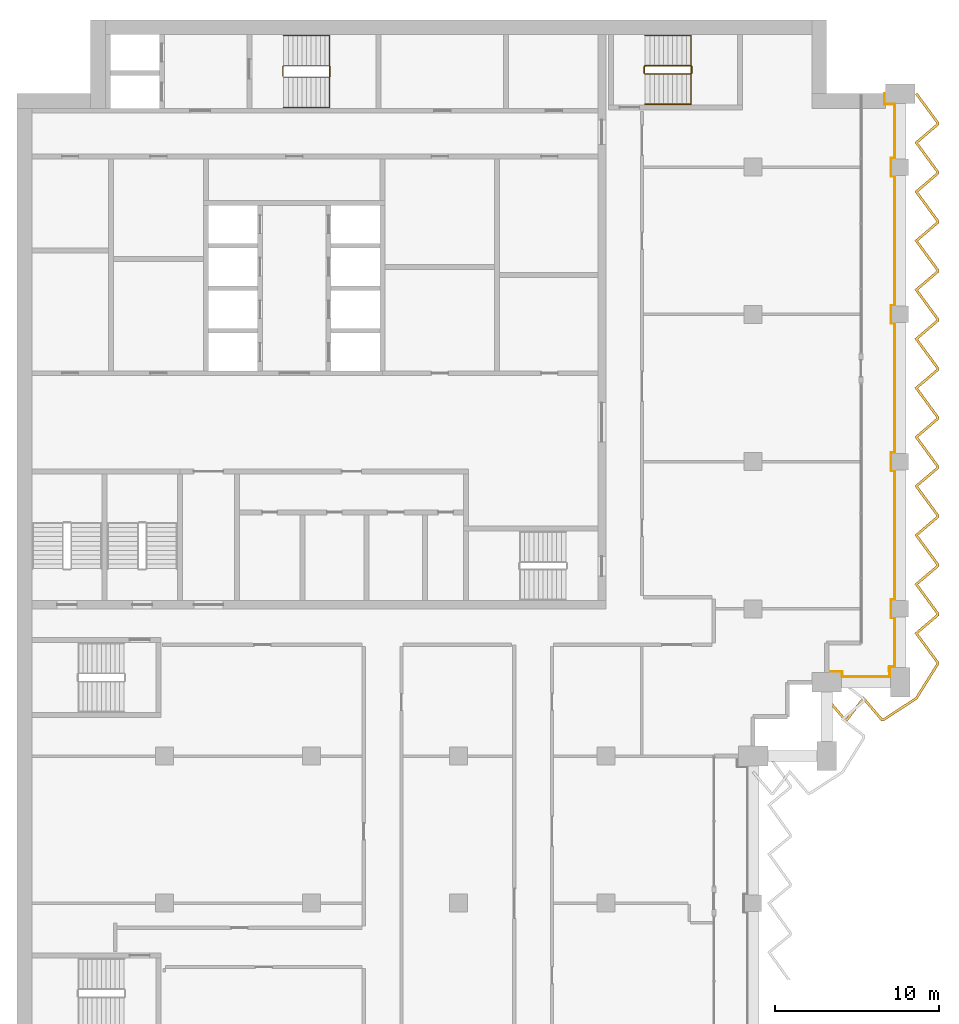
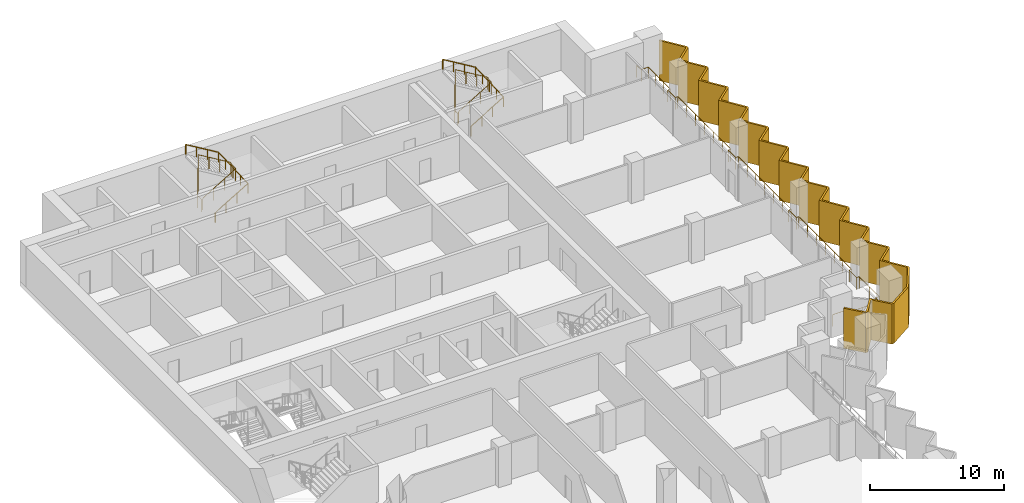
# One storey, part 17 of 17: 5 railings, 1 shading device.
"""IFC4 building model written with IfcOpenShell, lengths in metres."""

from ifc_helpers import new_model, si_unit, direction, frame, origin, origin_2d, place, context, subcontext, project, spatial, polyline, circle, outline, extrude, material, layer, layer_set, type_object, element, save


model = new_model("IFC4")

# Units and contexts
model_context = context("Model", 3, precision=1e-05, world=origin(), true_north=direction((0.0, 1.0)))
body_context = subcontext(model_context, "Body", "Model", "MODEL_VIEW")
ifc_project = project(units=[si_unit("LENGTHUNIT", "METRE"), si_unit("AREAUNIT", "SQUARE_METRE"), si_unit("VOLUMEUNIT", "CUBIC_METRE"), si_unit("PLANEANGLEUNIT", "RADIAN"), si_unit("MASSUNIT", "GRAM", prefix="KILO")], contexts=[model_context])

# Site, building, storey
site_placement = place(None, origin())
site = spatial("IfcSite", under=ifc_project, at=site_placement, CompositionType="ELEMENT")
building_placement = place(site_placement, origin())
building = spatial("IfcBuilding", under=site, at=building_placement, Name="Hunhe Ridgeline Campus", CompositionType="ELEMENT")
storey_placement = place(building_placement, frame((0.0, 0.0, 205.0)))
storey = spatial("IfcBuildingStorey", under=building, at=storey_placement, Name="L52", CompositionType="ELEMENT", Elevation=205.0)

# Railing
ifc_material_1 = material(Name="Steel Q355", Category="steel")
railing_type_1 = type_object("IfcRailingType", Name="Loggia guard 1100 Steel Q355", PredefinedType="GUARDRAIL", material=ifc_material_1)
railing_1_placement = place(storey_placement, frame((49.5, 59.169921875, 0.0)))
element("IfcRailing", 1, at=railing_1_placement, inside=storey, type_object=railing_type_1, Name="Loggia guard 2", PredefinedType="GUARDRAIL", context=body_context, shape_type="SweptSolid", body=[
    extrude(circle(Radius=0.02392578125, at=origin_2d()), frame((0.0, 0.0, 1.076171875), z_axis=(1.0, 0.0, 0.0), x_axis=(0.0, 1.0, 0.0)), (0.0, 0.0, 1.0), 0.949951171875),
    extrude(circle(Radius=0.02392578125, at=origin_2d()), frame((0.949951171875, 0.0, 1.076171875), z_axis=(0.0, -1.0, 0.0), x_axis=(1.0, 0.0, 0.0)), (0.0, 0.0, 1.0), 0.31982421875),
    extrude(circle(Radius=0.02392578125, at=origin_2d()), frame((0.949951171875, -0.31982421875, 1.076171875), z_axis=(1.0, 0.0, 0.0), x_axis=(0.0, 1.0, 0.0)), (0.0, 0.0, 1.0), 2.900146484375),
    extrude(circle(Radius=0.02392578125, at=origin_2d()), frame((3.85009765625, -0.31982421875, 1.076171875), z_axis=(0.0, 1.0, 0.0), x_axis=(-1.0, 0.0, 0.0)), (0.0, 0.0, 1.0), 0.619873046875),
    extrude(circle(Radius=0.02392578125, at=origin_2d()), frame((3.85009765625, 0.300048828125, 1.076171875), z_axis=(-0.066572895244, -0.99778156408, 0.0), x_axis=(0.99778156408, -0.066572895244, 0.0)), (0.0, 0.0, 1.0), 0.30078125),
    extrude(circle(Radius=0.02392578125, at=origin_2d()), frame((3.830078125, 0.0, 1.076171875), z_axis=(0.0, 1.0, 0.0), x_axis=(-1.0, 0.0, 0.0)), (0.0, 0.0, 1.0), 0.280029296875),
    extrude(circle(Radius=0.02392578125, at=origin_2d()), frame((3.830078125, 0.280029296875, 1.076171875), z_axis=(1.0, 0.0, 0.0), x_axis=(0.0, 1.0, 0.0)), (0.0, 0.0, 1.0), 0.31982421875),
    extrude(circle(Radius=0.02392578125, at=origin_2d()), frame((4.14990234375, 0.280029296875, 1.076171875), z_axis=(0.0, 1.0, 0.0), x_axis=(-1.0, 0.0, 0.0)), (0.0, 0.0, 1.0), 3.0),
    extrude(circle(Radius=0.02392578125, at=origin_2d()), frame((4.14990234375, 3.280029296875, 1.076171875), z_axis=(-1.0, 0.0, 0.0), x_axis=(0.0, -1.0, 0.0)), (0.0, 0.0, 1.0), 0.219970703125),
    extrude(circle(Radius=0.02392578125, at=origin_2d()), frame((3.929931640625, 3.280029296875, 1.076171875), z_axis=(0.0, 1.0, 0.0), x_axis=(-1.0, 0.0, 0.0)), (0.0, 0.0, 1.0), 1.10009765625),
    extrude(circle(Radius=0.02392578125, at=origin_2d()), frame((3.929931640625, 4.380126953125, 1.076171875), z_axis=(1.0, 0.0, 0.0), x_axis=(0.0, 1.0, 0.0)), (0.0, 0.0, 1.0), 0.219970703125),
    extrude(circle(Radius=0.02392578125, at=origin_2d()), frame((4.14990234375, 4.380126953125, 1.076171875), z_axis=(0.0, 1.0, 0.0), x_axis=(-1.0, 0.0, 0.0)), (0.0, 0.0, 1.0), 7.89990234375),
    extrude(circle(Radius=0.02392578125, at=origin_2d()), frame((4.14990234375, 12.280029296875, 1.076171875), z_axis=(-1.0, 0.0, 0.0), x_axis=(0.0, -1.0, 0.0)), (0.0, 0.0, 1.0), 0.219970703125),
    extrude(circle(Radius=0.02392578125, at=origin_2d()), frame((3.929931640625, 12.280029296875, 1.076171875), z_axis=(0.0, 1.0, 0.0), x_axis=(-1.0, 0.0, 0.0)), (0.0, 0.0, 1.0), 1.10009765625),
    extrude(circle(Radius=0.02392578125, at=origin_2d()), frame((3.929931640625, 13.380126953125, 1.076171875), z_axis=(1.0, 0.0, 0.0), x_axis=(0.0, 1.0, 0.0)), (0.0, 0.0, 1.0), 0.219970703125),
    extrude(circle(Radius=0.02392578125, at=origin_2d()), frame((4.14990234375, 13.380126953125, 1.076171875), z_axis=(0.0, 1.0, 0.0), x_axis=(-1.0, 0.0, 0.0)), (0.0, 0.0, 1.0), 7.89990234375),
    extrude(circle(Radius=0.02392578125, at=origin_2d()), frame((4.14990234375, 21.280029296875, 1.076171875), z_axis=(-1.0, 0.0, 0.0), x_axis=(0.0, -1.0, 0.0)), (0.0, 0.0, 1.0), 0.219970703125),
    extrude(circle(Radius=0.02392578125, at=origin_2d()), frame((3.929931640625, 21.280029296875, 1.076171875), z_axis=(0.0, 1.0, 0.0), x_axis=(-1.0, 0.0, 0.0)), (0.0, 0.0, 1.0), 1.10009765625),
    extrude(circle(Radius=0.02392578125, at=origin_2d()), frame((3.929931640625, 22.380126953125, 1.076171875), z_axis=(1.0, 0.0, 0.0), x_axis=(0.0, 1.0, 0.0)), (0.0, 0.0, 1.0), 0.219970703125),
    extrude(circle(Radius=0.02392578125, at=origin_2d()), frame((4.14990234375, 22.380126953125, 1.076171875), z_axis=(0.0, 1.0, 0.0), x_axis=(-1.0, 0.0, 0.0)), (0.0, 0.0, 1.0), 7.89990234375),
    extrude(circle(Radius=0.02392578125, at=origin_2d()), frame((4.14990234375, 30.280029296875, 1.076171875), z_axis=(-1.0, 0.0, 0.0), x_axis=(0.0, -1.0, 0.0)), (0.0, 0.0, 1.0), 0.219970703125),
    extrude(circle(Radius=0.02392578125, at=origin_2d()), frame((3.929931640625, 30.280029296875, 1.076171875), z_axis=(0.0, 1.0, 0.0), x_axis=(-1.0, 0.0, 0.0)), (0.0, 0.0, 1.0), 1.10009765625),
    extrude(circle(Radius=0.02392578125, at=origin_2d()), frame((3.929931640625, 31.380126953125, 1.076171875), z_axis=(1.0, 0.0, 0.0), x_axis=(0.0, 1.0, 0.0)), (0.0, 0.0, 1.0), 0.219970703125),
    extrude(circle(Radius=0.02392578125, at=origin_2d()), frame((4.14990234375, 31.380126953125, 1.076171875), z_axis=(0.0, 1.0, 0.0), x_axis=(-1.0, 0.0, 0.0)), (0.0, 0.0, 1.0), 3.300048828125),
    extrude(circle(Radius=0.02392578125, at=origin_2d()), frame((4.14990234375, 34.68017578125, 1.076171875), z_axis=(-1.0, 0.0, 0.0), x_axis=(0.0, -1.0, 0.0)), (0.0, 0.0, 1.0), 0.619873046875),
    extrude(circle(Radius=0.02392578125, at=origin_2d()), frame((3.530029296875, 34.68017578125, 1.076171875), z_axis=(0.0, 1.0, 0.0), x_axis=(-1.0, 0.0, 0.0)), (0.0, 0.0, 1.0), 0.64990234375),
    extrude(circle(Radius=0.02099609375, at=origin_2d()), origin(), (0.0, 0.0, 1.0), 1.052001953125),
    extrude(circle(Radius=0.02099609375, at=origin_2d()), frame((0.949951171875, 0.0, 0.0)), (0.0, 0.0, 1.0), 1.052001953125),
    extrude(circle(Radius=0.02099609375, at=origin_2d()), frame((0.949951171875, -0.31982421875, 0.0)), (0.0, 0.0, 1.0), 1.052001953125),
    extrude(circle(Radius=0.02099609375, at=origin_2d()), frame((2.39990234375, -0.31982421875, 0.0)), (0.0, 0.0, 1.0), 1.052001953125),
    extrude(circle(Radius=0.02099609375, at=origin_2d()), frame((3.85009765625, -0.31982421875, 0.0)), (0.0, 0.0, 1.0), 1.052001953125),
    extrude(circle(Radius=0.02099609375, at=origin_2d()), frame((3.85009765625, 0.300048828125, 0.0)), (0.0, 0.0, 1.0), 1.052001953125),
    extrude(circle(Radius=0.02099609375, at=origin_2d()), frame((3.830078125, 0.0, 0.0)), (0.0, 0.0, 1.0), 1.052001953125),
    extrude(circle(Radius=0.02099609375, at=origin_2d()), frame((3.830078125, 0.280029296875, 0.0)), (0.0, 0.0, 1.0), 1.052001953125),
    extrude(circle(Radius=0.02099609375, at=origin_2d()), frame((4.14990234375, 0.280029296875, 0.0)), (0.0, 0.0, 1.0), 1.052001953125),
    extrude(circle(Radius=0.02099609375, at=origin_2d()), frame((4.14990234375, 1.780029296875, 0.0)), (0.0, 0.0, 1.0), 1.052001953125),
    extrude(circle(Radius=0.02099609375, at=origin_2d()), frame((4.14990234375, 3.280029296875, 0.0)), (0.0, 0.0, 1.0), 1.052001953125),
    extrude(circle(Radius=0.02099609375, at=origin_2d()), frame((3.929931640625, 3.280029296875, 0.0)), (0.0, 0.0, 1.0), 1.052001953125),
    extrude(circle(Radius=0.02099609375, at=origin_2d()), frame((3.929931640625, 4.380126953125, 0.0)), (0.0, 0.0, 1.0), 1.052001953125),
    extrude(circle(Radius=0.02099609375, at=origin_2d()), frame((4.14990234375, 4.380126953125, 0.0)), (0.0, 0.0, 1.0), 1.052001953125),
    extrude(circle(Radius=0.02099609375, at=origin_2d()), frame((4.14990234375, 5.69677734375, 0.0)), (0.0, 0.0, 1.0), 1.052001953125),
    extrude(circle(Radius=0.02099609375, at=origin_2d()), frame((4.14990234375, 7.013427734375, 0.0)), (0.0, 0.0, 1.0), 1.052001953125),
    extrude(circle(Radius=0.02099609375, at=origin_2d()), frame((4.14990234375, 8.330078125, 0.0)), (0.0, 0.0, 1.0), 1.052001953125),
    extrude(circle(Radius=0.02099609375, at=origin_2d()), frame((4.14990234375, 9.646728515625, 0.0)), (0.0, 0.0, 1.0), 1.052001953125),
    extrude(circle(Radius=0.02099609375, at=origin_2d()), frame((4.14990234375, 10.96337890625, 0.0)), (0.0, 0.0, 1.0), 1.052001953125),
    extrude(circle(Radius=0.02099609375, at=origin_2d()), frame((4.14990234375, 12.280029296875, 0.0)), (0.0, 0.0, 1.0), 1.052001953125),
    extrude(circle(Radius=0.02099609375, at=origin_2d()), frame((3.929931640625, 12.280029296875, 0.0)), (0.0, 0.0, 1.0), 1.052001953125),
    extrude(circle(Radius=0.02099609375, at=origin_2d()), frame((3.929931640625, 13.380126953125, 0.0)), (0.0, 0.0, 1.0), 1.052001953125),
    extrude(circle(Radius=0.02099609375, at=origin_2d()), frame((4.14990234375, 13.380126953125, 0.0)), (0.0, 0.0, 1.0), 1.052001953125),
    extrude(circle(Radius=0.02099609375, at=origin_2d()), frame((4.14990234375, 14.69677734375, 0.0)), (0.0, 0.0, 1.0), 1.052001953125),
    extrude(circle(Radius=0.02099609375, at=origin_2d()), frame((4.14990234375, 16.013427734375, 0.0)), (0.0, 0.0, 1.0), 1.052001953125),
    extrude(circle(Radius=0.02099609375, at=origin_2d()), frame((4.14990234375, 17.330078125, 0.0)), (0.0, 0.0, 1.0), 1.052001953125),
    extrude(circle(Radius=0.02099609375, at=origin_2d()), frame((4.14990234375, 18.646728515625, 0.0)), (0.0, 0.0, 1.0), 1.052001953125),
    extrude(circle(Radius=0.02099609375, at=origin_2d()), frame((4.14990234375, 19.96337890625, 0.0)), (0.0, 0.0, 1.0), 1.052001953125),
    extrude(circle(Radius=0.02099609375, at=origin_2d()), frame((4.14990234375, 21.280029296875, 0.0)), (0.0, 0.0, 1.0), 1.052001953125),
    extrude(circle(Radius=0.02099609375, at=origin_2d()), frame((3.929931640625, 21.280029296875, 0.0)), (0.0, 0.0, 1.0), 1.052001953125),
    extrude(circle(Radius=0.02099609375, at=origin_2d()), frame((3.929931640625, 22.380126953125, 0.0)), (0.0, 0.0, 1.0), 1.052001953125),
    extrude(circle(Radius=0.02099609375, at=origin_2d()), frame((4.14990234375, 22.380126953125, 0.0)), (0.0, 0.0, 1.0), 1.052001953125),
    extrude(circle(Radius=0.02099609375, at=origin_2d()), frame((4.14990234375, 23.69677734375, 0.0)), (0.0, 0.0, 1.0), 1.052001953125),
    extrude(circle(Radius=0.02099609375, at=origin_2d()), frame((4.14990234375, 25.013427734375, 0.0)), (0.0, 0.0, 1.0), 1.052001953125),
    extrude(circle(Radius=0.02099609375, at=origin_2d()), frame((4.14990234375, 26.330078125, 0.0)), (0.0, 0.0, 1.0), 1.052001953125),
    extrude(circle(Radius=0.02099609375, at=origin_2d()), frame((4.14990234375, 27.646728515625, 0.0)), (0.0, 0.0, 1.0), 1.052001953125),
    extrude(circle(Radius=0.02099609375, at=origin_2d()), frame((4.14990234375, 28.96337890625, 0.0)), (0.0, 0.0, 1.0), 1.052001953125),
    extrude(circle(Radius=0.02099609375, at=origin_2d()), frame((4.14990234375, 30.280029296875, 0.0)), (0.0, 0.0, 1.0), 1.052001953125),
    extrude(circle(Radius=0.02099609375, at=origin_2d()), frame((3.929931640625, 30.280029296875, 0.0)), (0.0, 0.0, 1.0), 1.052001953125),
    extrude(circle(Radius=0.02099609375, at=origin_2d()), frame((3.929931640625, 31.380126953125, 0.0)), (0.0, 0.0, 1.0), 1.052001953125),
    extrude(circle(Radius=0.02099609375, at=origin_2d()), frame((4.14990234375, 31.380126953125, 0.0)), (0.0, 0.0, 1.0), 1.052001953125),
    extrude(circle(Radius=0.02099609375, at=origin_2d()), frame((4.14990234375, 32.480224609375, 0.0)), (0.0, 0.0, 1.0), 1.052001953125),
    extrude(circle(Radius=0.02099609375, at=origin_2d()), frame((4.14990234375, 33.580078125, 0.0)), (0.0, 0.0, 1.0), 1.052001953125),
    extrude(circle(Radius=0.02099609375, at=origin_2d()), frame((4.14990234375, 34.68017578125, 0.0)), (0.0, 0.0, 1.0), 1.052001953125),
    extrude(circle(Radius=0.02099609375, at=origin_2d()), frame((3.530029296875, 34.68017578125, 0.0)), (0.0, 0.0, 1.0), 1.052001953125),
    extrude(circle(Radius=0.02099609375, at=origin_2d()), frame((3.530029296875, 35.330078125, 0.0)), (0.0, 0.0, 1.0), 1.052001953125),
])

# Shading device
ifc_material_2 = material(Name="Concrete C50", Category="concrete")
ifc_layer = layer(ifc_material_2, 0.14990234375)
ifc_layer_set = layer_set([ifc_layer], Name="Sawtooth concrete fin 150 Concrete C50")
shading_device_type = type_object("IfcShadingDeviceType", Name="Sawtooth concrete fin 150 Concrete C50", PredefinedType="USERDEFINED", material=ifc_layer_set)
shading_device_placement = place(storey_placement, frame((0.0, 0.0, -0.949951171875)))
element("IfcShadingDevice", 2, at=shading_device_placement, inside=storey, type_object=shading_device_type, Name="Concrete fin screen 3", ObjectType="FIN", PredefinedType="USERDEFINED", context=body_context, shape_type="SweptSolid", body=[
    extrude(outline(polyline([(49.55712890625, 57.57373046875), (49.44287109375, 57.476318359375), (50.57470703125, 56.14990234375), (50.765869140625, 56.14990234375), (51.75244140625, 57.40673828125), (52.82470703125, 56.14990234375), (53.001708984375, 56.14990234375), (55.02978515625, 57.47119140625), (56.35009765625, 59.587890625), (56.35009765625, 59.75390625), (55.07666015625, 61.48828125), (56.35009765625, 62.57470703125), (56.35009765625, 62.75390625), (55.07666015625, 64.48828125), (56.35009765625, 65.57470703125), (56.35009765625, 65.75390625), (55.07666015625, 67.48828125), (56.35009765625, 68.57470703125), (56.35009765625, 68.75390625), (55.07666015625, 70.48828125), (56.35009765625, 71.57470703125), (56.35009765625, 71.75390625), (55.07666015625, 73.48828125), (56.35009765625, 74.57470703125), (56.35009765625, 74.75390625), (55.07666015625, 76.48828125), (56.35009765625, 77.57470703125), (56.35009765625, 77.75390625), (55.07666015625, 79.48828125), (56.35009765625, 80.57470703125), (56.35009765625, 80.75390625), (55.07666015625, 82.48828125), (56.35009765625, 83.57470703125), (56.35009765625, 83.75390625), (55.07666015625, 85.48828125), (56.35009765625, 86.57470703125), (56.35009765625, 86.75390625), (55.07666015625, 88.48828125), (56.35009765625, 89.57470703125), (56.35009765625, 89.75390625), (55.07666015625, 91.48828125), (56.35009765625, 92.57470703125), (56.35009765625, 92.75390625), (55.035400390625, 94.54443359375), (54.91455078125, 94.45556640625), (56.199951171875, 92.704833984375), (56.199951171875, 92.643798828125), (54.873291015625, 91.51171875), (56.199951171875, 89.704833984375), (56.199951171875, 89.643798828125), (54.873291015625, 88.51171875), (56.199951171875, 86.704833984375), (56.199951171875, 86.643798828125), (54.873291015625, 85.51171875), (56.199951171875, 83.704833984375), (56.199951171875, 83.643798828125), (54.873291015625, 82.51171875), (56.199951171875, 80.704833984375), (56.199951171875, 80.643798828125), (54.873291015625, 79.51171875), (56.199951171875, 77.704833984375), (56.199951171875, 77.643798828125), (54.873291015625, 76.51171875), (56.199951171875, 74.704833984375), (56.199951171875, 74.643798828125), (54.873291015625, 73.51171875), (56.199951171875, 71.704833984375), (56.199951171875, 71.643798828125), (54.873291015625, 70.51171875), (56.199951171875, 68.704833984375), (56.199951171875, 68.643798828125), (54.873291015625, 67.51171875), (56.199951171875, 65.704833984375), (56.199951171875, 65.643798828125), (54.873291015625, 64.51171875), (56.199951171875, 62.704833984375), (56.199951171875, 62.643798828125), (54.873291015625, 61.51171875), (56.199951171875, 59.704833984375), (56.199951171875, 59.630859375), (54.920166015625, 57.578857421875), (52.95703125, 56.300048828125), (52.893798828125, 56.300048828125), (51.74755859375, 57.643310546875), (50.69287109375, 56.300048828125), (50.643798828125, 56.300048828125), (49.55712890625, 57.57373046875)])), origin(), (0.0, 0.0, 1.0), 3.64990234375),
])

# Railings
ifc_material_3 = material(Name="Stainless steel balustrade", Category="steel")
railing_type_2 = type_object("IfcRailingType", Name="Stair guard 1100 stainless", PredefinedType="GUARDRAIL", material=ifc_material_3)
railing_2_placement = place(storey_placement, frame((16.300048828125, 95.5, 0.168212890625)))
element("IfcRailing", 3, at=railing_2_placement, inside=storey, type_object=railing_type_2, Name="L52 stair S1 guard", PredefinedType="GUARDRAIL", context=body_context, shape_type="SweptSolid", body=[
    extrude(circle(Radius=0.02392578125, at=origin_2d()), frame((0.0, 0.0, 1.076171875), z_axis=(0.857242210791, 0.0, 0.514913383045), x_axis=(0.0, 1.0, 0.0)), (0.0, 0.0, 1.0), 3.266357421875),
    extrude(circle(Radius=0.02392578125, at=origin_2d()), frame((2.800048828125, 0.0, 2.7578125), z_axis=(0.705375805398, 0.708833529934, 0.0), x_axis=(-0.708833529934, 0.705375805398, 0.0)), (0.0, 0.0, 1.0), 0.070556640625),
    extrude(circle(Radius=0.02392578125, at=origin_2d()), frame((2.849853515625, 0.050048828125, 2.7578125), z_axis=(0.0, 1.0, 0.0), x_axis=(-1.0, 0.0, 0.0)), (0.0, 0.0, 1.0), 0.599853515625),
    extrude(circle(Radius=0.02392578125, at=origin_2d()), frame((2.849853515625, 0.64990234375, 2.7578125), z_axis=(-0.273343290215, 0.274683208305, 0.921863645432), x_axis=(-0.708833529934, -0.705375805398, 0.0)), (0.0, 0.0, 1.0), 0.18212890625),
    extrude(circle(Radius=0.02392578125, at=origin_2d()), frame((2.800048828125, 0.699951171875, 2.92578125), z_axis=(-0.857242210791, 0.0, 0.514913383045), x_axis=(0.0, -1.0, 0.0)), (0.0, 0.0, 1.0), 3.266357421875),
    extrude(circle(Radius=0.02392578125, at=origin_2d()), frame((0.0, 0.699951171875, 4.60791015625), z_axis=(-0.013524414389, -0.013524414389, -0.999817073484), x_axis=(0.707106781187, -0.707106781187, 0.0)), (0.0, 0.0, 1.0), 3.70068359375),
    extrude(circle(Radius=0.02392578125, at=origin_2d()), frame((-0.050048828125, 0.64990234375, 0.90771484375), z_axis=(0.0, -1.0, 0.0), x_axis=(1.0, 0.0, 0.0)), (0.0, 0.0, 1.0), 0.599853515625),
    extrude(circle(Radius=0.02099609375, at=origin_2d()), origin(), (0.0, 0.0, 1.0), 1.052001953125),
    extrude(circle(Radius=0.02099609375, at=origin_2d()), frame((0.933349609375, 0.0, 0.560546875)), (0.0, 0.0, 1.0), 1.052001953125),
    extrude(circle(Radius=0.02099609375, at=origin_2d()), frame((1.86669921875, 0.0, 1.121337890625)), (0.0, 0.0, 1.0), 1.052001953125),
    extrude(circle(Radius=0.02099609375, at=origin_2d()), frame((2.800048828125, 0.0, 1.681884765625)), (0.0, 0.0, 1.0), 1.052001953125),
    extrude(circle(Radius=0.02099609375, at=origin_2d()), frame((2.849853515625, 0.050048828125, 1.681884765625)), (0.0, 0.0, 1.0), 1.052001953125),
    extrude(circle(Radius=0.02099609375, at=origin_2d()), frame((2.849853515625, 0.64990234375, 1.681884765625)), (0.0, 0.0, 1.0), 1.052001953125),
    extrude(circle(Radius=0.02099609375, at=origin_2d()), frame((2.800048828125, 0.699951171875, 1.849853515625)), (0.0, 0.0, 1.0), 1.052001953125),
    extrude(circle(Radius=0.02099609375, at=origin_2d()), frame((1.86669921875, 0.699951171875, 2.410400390625)), (0.0, 0.0, 1.0), 1.052001953125),
    extrude(circle(Radius=0.02099609375, at=origin_2d()), frame((0.933349609375, 0.699951171875, 2.97119140625)), (0.0, 0.0, 1.0), 1.052001953125),
    extrude(circle(Radius=0.02099609375, at=origin_2d()), frame((0.0, 0.699951171875, 3.53173828125)), (0.0, 0.0, 1.0), 1.052001953125),
    extrude(circle(Radius=0.02099609375, at=origin_2d()), frame((-0.012451171875, 0.6875, 2.606689453125)), (0.0, 0.0, 1.0), 1.052001953125),
    extrude(circle(Radius=0.02099609375, at=origin_2d()), frame((-0.02490234375, 0.6748046875, 1.681640625)), (0.0, 0.0, 1.0), 1.052001953125),
    extrude(circle(Radius=0.02099609375, at=origin_2d()), frame((-0.03759765625, 0.662353515625, 0.7568359375)), (0.0, 0.0, 1.0), 1.052001953125),
    extrude(circle(Radius=0.02099609375, at=origin_2d()), frame((-0.050048828125, 0.64990234375, -0.168212890625)), (0.0, 0.0, 1.0), 1.052001953125),
    extrude(circle(Radius=0.02099609375, at=origin_2d()), frame((-0.050048828125, 0.050048828125, -0.168212890625)), (0.0, 0.0, 1.0), 1.052001953125),
])
railing_3_placement = place(storey_placement, frame((38.39990234375, 95.699951171875, 0.168212890625)))
element("IfcRailing", 4, at=railing_3_placement, inside=storey, type_object=railing_type_2, Name="L52 stair E1 guard", PredefinedType="GUARDRAIL", context=body_context, shape_type="SweptSolid", body=[
    extrude(circle(Radius=0.02392578125, at=origin_2d()), frame((0.0, 0.0, 1.076171875), z_axis=(0.857242210791, 0.0, 0.514913383045), x_axis=(0.0, 1.0, 0.0)), (0.0, 0.0, 1.0), 3.266357421875),
    extrude(circle(Radius=0.02392578125, at=origin_2d()), frame((2.800048828125, 0.0, 2.7578125), z_axis=(0.707106781187, 0.707106781187, 0.0), x_axis=(-0.707106781187, 0.707106781187, 0.0)), (0.0, 0.0, 1.0), 0.07080078125),
    extrude(circle(Radius=0.02392578125, at=origin_2d()), frame((2.85009765625, 0.050048828125, 2.7578125), z_axis=(0.0, 1.0, 0.0), x_axis=(-1.0, 0.0, 0.0)), (0.0, 0.0, 1.0), 0.39990234375),
    extrude(circle(Radius=0.02392578125, at=origin_2d()), frame((2.85009765625, 0.449951171875, 2.7578125), z_axis=(-0.274582412415, 0.274582412415, 0.921525364591), x_axis=(-0.707106781187, -0.707106781187, 0.0)), (0.0, 0.0, 1.0), 0.182373046875),
    extrude(circle(Radius=0.02392578125, at=origin_2d()), frame((2.800048828125, 0.5, 2.92578125), z_axis=(-0.857242210791, 0.0, 0.514913383045), x_axis=(0.0, -1.0, 0.0)), (0.0, 0.0, 1.0), 3.266357421875),
    extrude(circle(Radius=0.02392578125, at=origin_2d()), frame((0.0, 0.5, 4.60791015625), z_axis=(-0.013458453615, -0.013524426427, -0.999817963389), x_axis=(0.708833529934, -0.705375805398, 0.0)), (0.0, 0.0, 1.0), 3.70068359375),
    extrude(circle(Radius=0.02392578125, at=origin_2d()), frame((-0.0498046875, 0.449951171875, 0.90771484375), z_axis=(0.0, -1.0, 0.0), x_axis=(1.0, 0.0, 0.0)), (0.0, 0.0, 1.0), 0.39990234375),
    extrude(circle(Radius=0.02099609375, at=origin_2d()), origin(), (0.0, 0.0, 1.0), 1.052001953125),
    extrude(circle(Radius=0.02099609375, at=origin_2d()), frame((0.933349609375, 0.0, 0.560546875)), (0.0, 0.0, 1.0), 1.052001953125),
    extrude(circle(Radius=0.02099609375, at=origin_2d()), frame((1.86669921875, 0.0, 1.121337890625)), (0.0, 0.0, 1.0), 1.052001953125),
    extrude(circle(Radius=0.02099609375, at=origin_2d()), frame((2.800048828125, 0.0, 1.681884765625)), (0.0, 0.0, 1.0), 1.052001953125),
    extrude(circle(Radius=0.02099609375, at=origin_2d()), frame((2.85009765625, 0.050048828125, 1.681884765625)), (0.0, 0.0, 1.0), 1.052001953125),
    extrude(circle(Radius=0.02099609375, at=origin_2d()), frame((2.85009765625, 0.449951171875, 1.681884765625)), (0.0, 0.0, 1.0), 1.052001953125),
    extrude(circle(Radius=0.02099609375, at=origin_2d()), frame((2.800048828125, 0.5, 1.849853515625)), (0.0, 0.0, 1.0), 1.052001953125),
    extrude(circle(Radius=0.02099609375, at=origin_2d()), frame((1.86669921875, 0.5, 2.410400390625)), (0.0, 0.0, 1.0), 1.052001953125),
    extrude(circle(Radius=0.02099609375, at=origin_2d()), frame((0.933349609375, 0.5, 2.97119140625)), (0.0, 0.0, 1.0), 1.052001953125),
    extrude(circle(Radius=0.02099609375, at=origin_2d()), frame((0.0, 0.5, 3.53173828125)), (0.0, 0.0, 1.0), 1.052001953125),
    extrude(circle(Radius=0.02099609375, at=origin_2d()), frame((-0.012451171875, 0.487548828125, 2.606689453125)), (0.0, 0.0, 1.0), 1.052001953125),
    extrude(circle(Radius=0.02099609375, at=origin_2d()), frame((-0.02490234375, 0.47509765625, 1.681640625)), (0.0, 0.0, 1.0), 1.052001953125),
    extrude(circle(Radius=0.02099609375, at=origin_2d()), frame((-0.037353515625, 0.46240234375, 0.7568359375)), (0.0, 0.0, 1.0), 1.052001953125),
    extrude(circle(Radius=0.02099609375, at=origin_2d()), frame((-0.0498046875, 0.449951171875, -0.168212890625)), (0.0, 0.0, 1.0), 1.052001953125),
    extrude(circle(Radius=0.02099609375, at=origin_2d()), frame((-0.0498046875, 0.050048828125, -0.168212890625)), (0.0, 0.0, 1.0), 1.052001953125),
])
ifc_material_4 = material(Name="Stainless steel handrail", Category="steel")
railing_type_3 = type_object("IfcRailingType", Name="Stair handrail 900 stainless", PredefinedType="HANDRAIL", material=ifc_material_4)
railing_4_placement = place(storey_placement, frame((16.300048828125, 93.64990234375, 0.168212890625)))
element("IfcRailing", 5, at=railing_4_placement, inside=storey, type_object=railing_type_3, Name="L52 stair S1 handrail", PredefinedType="HANDRAIL", context=body_context, shape_type="SweptSolid", body=[
    extrude(circle(Radius=0.02392578125, at=origin_2d()), frame((0.0, 0.0, 0.8759765625), z_axis=(0.857242210791, 0.0, 0.514913383045), x_axis=(0.0, 1.0, 0.0)), (0.0, 0.0, 1.0), 3.266357421875),
    extrude(circle(Radius=0.02392578125, at=origin_2d()), frame((2.800048828125, 0.0, 2.5576171875), z_axis=(0.0, 0.999272189381, 0.038145662004), x_axis=(-1.0, 0.0, 0.0)), (0.0, 0.0, 1.0), 4.4033203125),
    extrude(circle(Radius=0.02392578125, at=origin_2d()), frame((2.800048828125, 4.400146484375, 2.7255859375), z_axis=(-0.857242210791, 0.0, 0.514913383045), x_axis=(0.0, -1.0, 0.0)), (0.0, 0.0, 1.0), 3.266357421875),
    extrude(circle(Radius=0.02099609375, at=origin_2d()), origin(), (0.0, 0.0, 1.0), 0.851806640625),
    extrude(circle(Radius=0.02099609375, at=origin_2d()), frame((0.933349609375, 0.0, 0.560546875)), (0.0, 0.0, 1.0), 0.851806640625),
    extrude(circle(Radius=0.02099609375, at=origin_2d()), frame((1.86669921875, 0.0, 1.121337890625)), (0.0, 0.0, 1.0), 0.851806640625),
    extrude(circle(Radius=0.02099609375, at=origin_2d()), frame((2.800048828125, 0.0, 1.681884765625)), (0.0, 0.0, 1.0), 0.851806640625),
    extrude(circle(Radius=0.02099609375, at=origin_2d()), frame((2.800048828125, 1.10009765625, 1.723876953125)), (0.0, 0.0, 1.0), 0.851806640625),
    extrude(circle(Radius=0.02099609375, at=origin_2d()), frame((2.800048828125, 2.2001953125, 1.765869140625)), (0.0, 0.0, 1.0), 0.851806640625),
    extrude(circle(Radius=0.02099609375, at=origin_2d()), frame((2.800048828125, 3.300048828125, 1.807861328125)), (0.0, 0.0, 1.0), 0.851806640625),
    extrude(circle(Radius=0.02099609375, at=origin_2d()), frame((2.800048828125, 4.400146484375, 1.849853515625)), (0.0, 0.0, 1.0), 0.851806640625),
    extrude(circle(Radius=0.02099609375, at=origin_2d()), frame((1.86669921875, 4.400146484375, 2.410400390625)), (0.0, 0.0, 1.0), 0.851806640625),
    extrude(circle(Radius=0.02099609375, at=origin_2d()), frame((0.933349609375, 4.400146484375, 2.97119140625)), (0.0, 0.0, 1.0), 0.851806640625),
    extrude(circle(Radius=0.02099609375, at=origin_2d()), frame((0.0, 4.400146484375, 3.53173828125)), (0.0, 0.0, 1.0), 0.851806640625),
])
railing_5_placement = place(storey_placement, frame((38.39990234375, 93.85009765625, 0.168212890625)))
element("IfcRailing", 6, at=railing_5_placement, inside=storey, type_object=railing_type_3, Name="L52 stair E1 handrail", PredefinedType="HANDRAIL", context=body_context, shape_type="SweptSolid", body=[
    extrude(circle(Radius=0.02392578125, at=origin_2d()), frame((0.0, 0.0, 0.8759765625), z_axis=(0.857242210791, 0.0, 0.514913383045), x_axis=(0.0, 1.0, 0.0)), (0.0, 0.0, 1.0), 3.266357421875),
    extrude(circle(Radius=0.02392578125, at=origin_2d()), frame((2.800048828125, 0.0, 2.5576171875), z_axis=(0.0, 0.99920123705, 0.039961079526), x_axis=(-1.0, 0.0, 0.0)), (0.0, 0.0, 1.0), 4.203369140625),
    extrude(circle(Radius=0.02392578125, at=origin_2d()), frame((2.800048828125, 4.199951171875, 2.7255859375), z_axis=(-0.857242210791, 0.0, 0.514913383045), x_axis=(0.0, -1.0, 0.0)), (0.0, 0.0, 1.0), 3.266357421875),
    extrude(circle(Radius=0.02099609375, at=origin_2d()), origin(), (0.0, 0.0, 1.0), 0.851806640625),
    extrude(circle(Radius=0.02099609375, at=origin_2d()), frame((0.933349609375, 0.0, 0.560546875)), (0.0, 0.0, 1.0), 0.851806640625),
    extrude(circle(Radius=0.02099609375, at=origin_2d()), frame((1.86669921875, 0.0, 1.121337890625)), (0.0, 0.0, 1.0), 0.851806640625),
    extrude(circle(Radius=0.02099609375, at=origin_2d()), frame((2.800048828125, 0.0, 1.681884765625)), (0.0, 0.0, 1.0), 0.851806640625),
    extrude(circle(Radius=0.02099609375, at=origin_2d()), frame((2.800048828125, 1.050048828125, 1.723876953125)), (0.0, 0.0, 1.0), 0.851806640625),
    extrude(circle(Radius=0.02099609375, at=origin_2d()), frame((2.800048828125, 2.10009765625, 1.765869140625)), (0.0, 0.0, 1.0), 0.851806640625),
    extrude(circle(Radius=0.02099609375, at=origin_2d()), frame((2.800048828125, 3.14990234375, 1.807861328125)), (0.0, 0.0, 1.0), 0.851806640625),
    extrude(circle(Radius=0.02099609375, at=origin_2d()), frame((2.800048828125, 4.199951171875, 1.849853515625)), (0.0, 0.0, 1.0), 0.851806640625),
    extrude(circle(Radius=0.02099609375, at=origin_2d()), frame((1.86669921875, 4.199951171875, 2.410400390625)), (0.0, 0.0, 1.0), 0.851806640625),
    extrude(circle(Radius=0.02099609375, at=origin_2d()), frame((0.933349609375, 4.199951171875, 2.97119140625)), (0.0, 0.0, 1.0), 0.851806640625),
    extrude(circle(Radius=0.02099609375, at=origin_2d()), frame((0.0, 4.199951171875, 3.53173828125)), (0.0, 0.0, 1.0), 0.851806640625),
])

save(model, "model.ifc")
